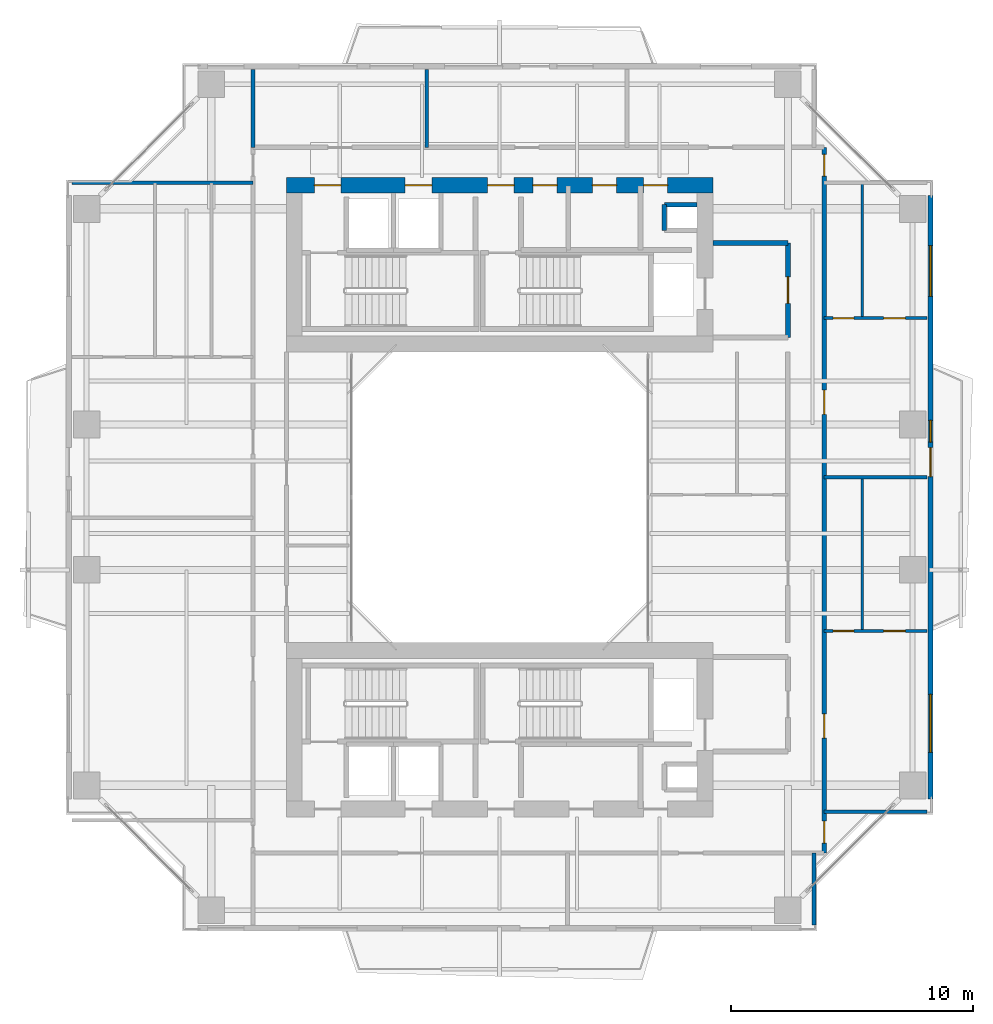
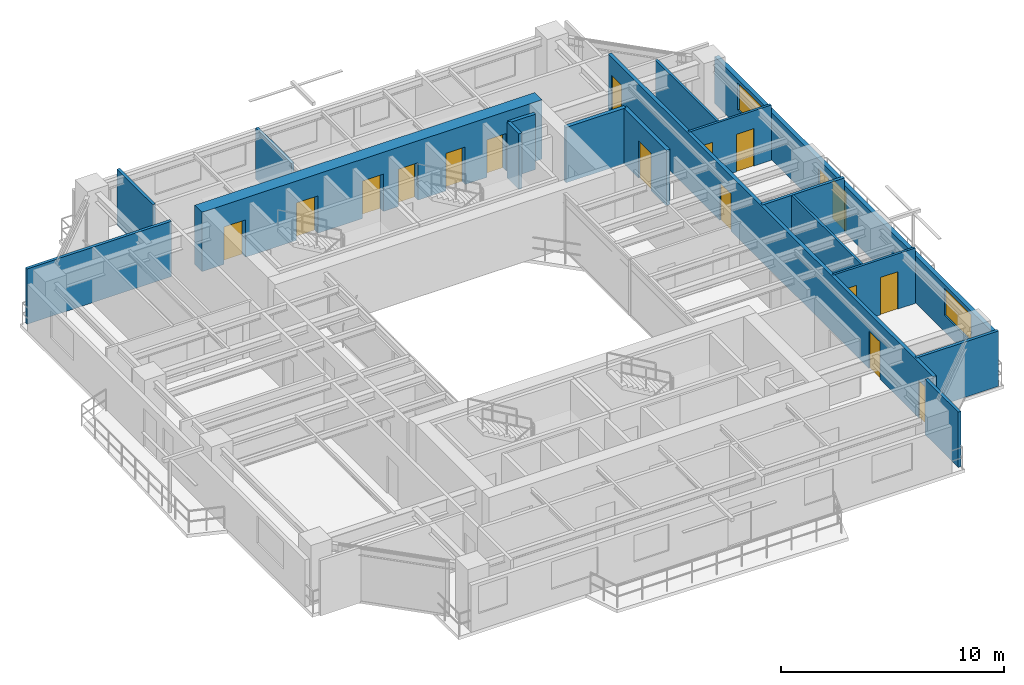
# One storey, part 12 of 16: 17 walls, 16 doors, 3 windows, 19 openings.
"""IFC4 building model written with IfcOpenShell, lengths in metres."""

import ifcopenshell
import ifcopenshell.guid

model = None  # the IFC model being written
_history = None  # IfcOwnerHistory: only IFC2X3 demands one
_inside = {}  # id of a spatial element -> (the spatial element, [elements in it])
_under = {}  # id of a project, library or spatial element -> (it, [spatial elements below it])
_declared = {}  # id of a project -> (the project, [libraries it declares])
_typed = {}  # id of a type object -> (the type object, [elements of that type])
_made_of = {}  # id of a material, layer set ... -> (it, [elements and type objects made of it])


def new_model(schema):
    """Start an empty IFC model of exactly this schema.

    Asked for "IFC4X3", IfcOpenShell would pick the latest addendum, in which some entities
    have other attributes; the version numbers below select the first issue.
    IFC2X3 requires an IfcOwnerHistory on every rooted entity: one is made here for all.
    """
    global model, _history
    if schema == "IFC4X3":
        model = ifcopenshell.file(schema_version=(4, 3, 0, 0))
    else:
        model = ifcopenshell.file(schema=schema)
    _inside.clear()
    _under.clear()
    _declared.clear()
    _typed.clear()
    _made_of.clear()
    _history = None
    if model.schema == "IFC2X3":
        org = make("IfcOrganization", Name="unknown")
        user = make(
            "IfcPersonAndOrganization",
            ThePerson=make("IfcPerson", FamilyName="unknown"),
            TheOrganization=org,
        )
        app = make(
            "IfcApplication",
            ApplicationDeveloper=org,
            Version="unknown",
            ApplicationFullName="unknown",
            ApplicationIdentifier="unknown",
        )
        _history = make(
            "IfcOwnerHistory",
            OwningUser=user,
            OwningApplication=app,
            ChangeAction="ADDED",
            CreationDate=0,
        )
    return model


def make(cls, **values):
    """One entity of the class cls with the attributes given. An attribute that is None is left unset."""
    return model.create_entity(
        cls, **{name: value for name, value in values.items() if value is not None}
    )


def rooted(cls, **values):
    """An entity with a GlobalId (a new one), such as an element, a storey or a relation."""
    return make(cls, GlobalId=ifcopenshell.guid.new(), OwnerHistory=_history, **values)


def si_unit(unit_type, name, prefix=None):
    """IfcSIUnit, for example si_unit("LENGTHUNIT", "METRE", prefix="MILLI")."""
    return make("IfcSIUnit", UnitType=unit_type, Prefix=prefix, Name=name)


def assignment(units):
    """IfcUnitAssignment: the units of a project."""
    return None if units is None else make("IfcUnitAssignment", Units=units)


def point(xyz):
    """IfcCartesianPoint."""
    return None if xyz is None else make("IfcCartesianPoint", Coordinates=xyz)


def direction(xyz):
    """IfcDirection."""
    return None if xyz is None else make("IfcDirection", DirectionRatios=xyz)


def frame(location, z_axis=None, x_axis=None):
    """IfcAxis2Placement3D, a coordinate frame: its origin and axes. An axis left out is left unset."""
    return make(
        "IfcAxis2Placement3D",
        Location=point(location),
        Axis=direction(z_axis),
        RefDirection=direction(x_axis),
    )


def frame_2d(location, x_axis=None):
    """IfcAxis2Placement2D, a coordinate frame in the plane: its origin and x axis."""
    return make(
        "IfcAxis2Placement2D", Location=point(location), RefDirection=direction(x_axis)
    )


def origin():
    """The frame at (0, 0, 0) with its axes left unset."""
    return frame((0.0, 0.0, 0.0))


def place(relative_to, where):
    """IfcLocalPlacement: puts the frame where relative to a parent placement (None: the world)."""
    return make(
        "IfcLocalPlacement", PlacementRelTo=relative_to, RelativePlacement=where
    )


def context(
    kind, dimensions, precision=None, world=None, true_north=None, identifier=None
):
    """IfcGeometricRepresentationContext, for example the 3D "Model" context."""
    return make(
        "IfcGeometricRepresentationContext",
        ContextIdentifier=identifier,
        ContextType=kind,
        CoordinateSpaceDimension=dimensions,
        Precision=precision,
        WorldCoordinateSystem=world,
        TrueNorth=true_north,
    )


def subcontext(parent, identifier, kind, view, scale=None):
    """IfcGeometricRepresentationSubContext, for example "Body" below "Model"."""
    return make(
        "IfcGeometricRepresentationSubContext",
        ContextIdentifier=identifier,
        ContextType=kind,
        ParentContext=parent,
        TargetScale=scale,
        TargetView=view,
    )


def project(units=None, contexts=None):
    """IfcProject with its units and contexts."""
    return rooted(
        "IfcProject",
        Name="project",
        RepresentationContexts=contexts,
        UnitsInContext=assignment(units),
    )


def spatial(cls, under=None, at=None, **own):
    """A site, building, storey or space (cls), placed at a placement, below another one or the project."""
    s = rooted(cls, ObjectPlacement=at, **own)
    if under is not None:
        _under.setdefault(under.id(), (under, []))[1].append(s)
    return s


def profile(cls, at=None, kind="AREA", **sizes):
    """A parametric profile (cls). Its sizes go by their IFC names, for example OverallWidth=200.0."""
    return make(cls, ProfileType=kind, Position=at, **sizes)


def rectangle(**sizes):
    """IfcRectangleProfileDef."""
    return profile("IfcRectangleProfileDef", **sizes)


def extrude(swept, where, along, depth):
    """IfcExtrudedAreaSolid: the profile swept, set in the frame where, extruded along a direction by depth."""
    return make(
        "IfcExtrudedAreaSolid",
        SweptArea=swept,
        Position=where,
        ExtrudedDirection=direction(along),
        Depth=depth,
    )


def shape(context_of_items, identifier, shape_type, items):
    """IfcShapeRepresentation: the items that make up one representation, for example the "Body"."""
    return make(
        "IfcShapeRepresentation",
        ContextOfItems=context_of_items,
        RepresentationIdentifier=identifier,
        RepresentationType=shape_type,
        Items=items,
    )


def source(mapping_origin, context_of_items, identifier, shape_type, items):
    """IfcRepresentationMap: a shape defined once, which mapped items show again and again."""
    return make(
        "IfcRepresentationMap",
        MappingOrigin=mapping_origin,
        MappedRepresentation=shape(context_of_items, identifier, shape_type, items),
    )


def transform(
    local_origin,
    x_axis=None,
    y_axis=None,
    z_axis=None,
    scale=None,
    scale2=None,
    scale3=None,
    uniform=True,
):
    """IfcCartesianTransformationOperator3D, or its non-uniform kind. x_axis, y_axis, z_axis: its Axis1, 2, 3."""
    if uniform:
        return make(
            "IfcCartesianTransformationOperator3D",
            Axis1=direction(x_axis),
            Axis2=direction(y_axis),
            LocalOrigin=point(local_origin),
            Scale=scale,
            Axis3=direction(z_axis),
        )
    return make(
        "IfcCartesianTransformationOperator3DnonUniform",
        Axis1=direction(x_axis),
        Axis2=direction(y_axis),
        LocalOrigin=point(local_origin),
        Scale=scale,
        Axis3=direction(z_axis),
        Scale2=scale2,
        Scale3=scale3,
    )


def mapped(mapping_source, mapping_target):
    """IfcMappedItem: shows the shape of a source again, moved by a transform."""
    return make(
        "IfcMappedItem", MappingSource=mapping_source, MappingTarget=mapping_target
    )


def material(Name=None, Category=None):
    """IfcMaterial."""
    return make("IfcMaterial", Name=Name, Category=Category)


def layer(
    of_material, thickness, ventilated=None, Name=None, Category=None, Priority=None
):
    """IfcMaterialLayer: one layer of a wall or slab, of a material (None: an air gap)."""
    return make(
        "IfcMaterialLayer",
        Material=of_material,
        LayerThickness=thickness,
        IsVentilated=ventilated,
        Name=Name,
        Category=Category,
        Priority=Priority,
    )


def layer_set(layers, Name=None):
    """IfcMaterialLayerSet."""
    return make("IfcMaterialLayerSet", MaterialLayers=layers, LayerSetName=Name)


def made_of(thing, what):
    """Note that an element or type object is made of a material, layer set ...; save() writes the relation."""
    if what is not None:
        _made_of.setdefault(what.id(), (what, []))[1].append(thing)
    return thing


def type_object(cls, material=None, **own):
    """A type object (cls), such as IfcWallType, which elements share."""
    return made_of(rooted(cls, **own), material)


def element(
    cls,
    number,
    at=None,
    inside=None,
    cuts=None,
    type_object=None,
    material=None,
    context=None,
    identifier="Body",
    shape_type=None,
    held_by="IfcProductDefinitionShape",
    body=None,
    shapes=None,
    **own,
):
    """One element of the class cls, such as IfcWall. Its Tag is "e" and its number.

    at: its placement. inside: the storey or other place that contains it. cuts: it is an
    opening in that element (IfcRelVoidsElement). A single representation is given by context,
    identifier, shape_type and body (its items); several are given by shapes. held_by: the class
    of the entity that holds the representations. save() writes the other relations.
    """
    e = rooted(cls, Tag="e%d" % number, ObjectPlacement=at, **own)
    if body is not None:
        shapes = [shape(context, identifier, shape_type, body)]
    if shapes is not None:
        e.Representation = make(held_by, Representations=shapes)
    if inside is not None:
        _inside.setdefault(inside.id(), (inside, []))[1].append(e)
    if cuts is not None:
        rooted(
            "IfcRelVoidsElement", RelatingBuildingElement=cuts, RelatedOpeningElement=e
        )
    if type_object is not None:
        _typed.setdefault(type_object.id(), (type_object, []))[1].append(e)
    return made_of(e, material)


def fill(opening, filler):
    """IfcRelFillsElement: the door or window that sits in an opening."""
    return rooted(
        "IfcRelFillsElement",
        RelatingOpeningElement=opening,
        RelatedBuildingElement=filler,
    )


def aggregate(whole, parts):
    """IfcRelAggregates: a whole, such as a stair, and the parts it consists of."""
    return rooted("IfcRelAggregates", RelatingObject=whole, RelatedObjects=parts)


def save(model, path):
    """Write the relations noted so far, then the file.

    IfcRelAggregates (storeys below a building ...), IfcRelContainedInSpatialStructure (elements
    in a storey), IfcRelDefinesByType, IfcRelAssociatesMaterial and IfcRelDeclares: one each for
    every whole, place, type object, material and project.
    """
    for whole, parts in _under.values():
        aggregate(whole, parts)
    for where, things in _inside.values():
        rooted(
            "IfcRelContainedInSpatialStructure",
            RelatedElements=things,
            RelatingStructure=where,
        )
    for kind, things in _typed.values():
        rooted("IfcRelDefinesByType", RelatedObjects=things, RelatingType=kind)
    for what, things in _made_of.values():
        rooted("IfcRelAssociatesMaterial", RelatedObjects=things, RelatingMaterial=what)
    for by, libraries in _declared.values():
        rooted("IfcRelDeclares", RelatingContext=by, RelatedDefinitions=libraries)
    model.write(path)


model = new_model("IFC4")

# Units and contexts
model_context = context("Model", 3, precision=1e-05, world=origin(), true_north=direction((0.0, 1.0)))
body_context = subcontext(model_context, "Body", "Model", "MODEL_VIEW")
ifc_project = project(units=[si_unit("LENGTHUNIT", "METRE"), si_unit("AREAUNIT", "SQUARE_METRE"), si_unit("VOLUMEUNIT", "CUBIC_METRE"), si_unit("PLANEANGLEUNIT", "RADIAN"), si_unit("MASSUNIT", "GRAM", prefix="KILO"), si_unit("THERMODYNAMICTEMPERATUREUNIT", "KELVIN"), si_unit("POWERUNIT", "WATT")], contexts=[model_context])

# Site, building, storey
site_placement = place(None, origin())
site = spatial("IfcSite", under=ifc_project, at=site_placement, CompositionType="ELEMENT")
building_placement = place(site_placement, origin())
building = spatial("IfcBuilding", under=site, at=building_placement, Name="Qiaomeng Ring Towers", CompositionType="ELEMENT")
storey_placement = place(building_placement, frame((0.0, 0.0, 136.0)))
storey = spatial("IfcBuildingStorey", under=building, at=storey_placement, Name="L39", CompositionType="ELEMENT", Elevation=136.0)

# Wall, openings, windows, door
ifc_material_1 = material(Name="Precast concrete C40", Category="concrete")
ifc_layer_1 = layer(ifc_material_1, 0.219970703125, Name="Precast concrete C40")
ifc_layer_set_1 = layer_set([ifc_layer_1], Name="Precast concrete C40")
wall_type_1 = type_object("IfcWallType", Name="ARC-WL-EW2", PredefinedType="STANDARD", material=ifc_layer_set_1)
wall_1_placement = place(storey_placement, frame((36.7900390625, 10.550048828125, 0.0), z_axis=(0.0, 0.0, 1.0), x_axis=(0.0, 1.0, 0.0)))
wall_1 = element("IfcWall", 1, at=wall_1_placement, inside=storey, type_object=wall_type_1, Name="L39 Tower 1 E Exterior Wall", PredefinedType="STANDARD", context=body_context, shape_type="SweptSolid", body=[
    extrude(rectangle(XDim=24.89990234375, YDim=0.219970703125, at=frame_2d((12.449951171875, 0.0))), origin(), (0.0, 0.0, 1.0), 2.570068359375),
])
opening_1_placement = place(wall_1_placement, frame((13.300048828125, 0.0, 0.0)))
opening_1 = element("IfcOpeningElement", 2, at=opening_1_placement, cuts=wall_1, Name="Opening BD1", PredefinedType="OPENING", context=body_context, shape_type="SweptSolid", body=[
    extrude(rectangle(XDim=1.199951171875, YDim=2.10009765625, at=frame_2d((0.60009765625, 1.050048828125))), frame((0.0, 0.119873046875, 0.0), z_axis=(0.0, -1.0, 0.0), x_axis=(1.0, 0.0, 0.0)), (0.0, 0.0, 1.0), 0.239990234375),
])
opening_2_placement = place(wall_1_placement, frame((1.912109375, 0.0, 0.89990234375)))
opening_2 = element("IfcOpeningElement", 3, at=opening_2_placement, cuts=wall_1, Name="Opening WN6", PredefinedType="OPENING", context=body_context, shape_type="SweptSolid", body=[
    extrude(rectangle(XDim=2.39990234375, YDim=1.47998046875, at=frame_2d((1.199951171875, 0.739990234375))), frame((0.0, 0.119873046875, 0.0), z_axis=(0.0, -1.0, 0.0), x_axis=(1.0, 0.0, 0.0)), (0.0, 0.0, 1.0), 0.239990234375),
])
opening_3_placement = place(wall_1_placement, frame((20.737060546875, 0.0, 0.89990234375)))
opening_3 = element("IfcOpeningElement", 4, at=opening_3_placement, cuts=wall_1, Name="Opening WN4", PredefinedType="OPENING", context=body_context, shape_type="SweptSolid", body=[
    extrude(rectangle(XDim=2.10009765625, YDim=1.47998046875, at=frame_2d((1.050048828125, 0.739990234375))), frame((0.0, 0.119873046875, 0.0), z_axis=(0.0, -1.0, 0.0), x_axis=(1.0, 0.0, 0.0)), (0.0, 0.0, 1.0), 0.239990234375),
])
opening_4_placement = place(wall_1_placement, frame((14.719970703125, 0.0, 0.89990234375)))
opening_4 = element("IfcOpeningElement", 5, at=opening_4_placement, cuts=wall_1, Name="Opening WN5", PredefinedType="OPENING", context=body_context, shape_type="SweptSolid", body=[
    extrude(rectangle(XDim=0.89990234375, YDim=1.199951171875, at=frame_2d((0.449951171875, 0.60009765625))), frame((0.0, 0.119873046875, 0.0), z_axis=(0.0, -1.0, 0.0), x_axis=(1.0, 0.0, 0.0)), (0.0, 0.0, 1.0), 0.239990234375),
])
ifc_material_2 = material(Name="Low-E dark-grey laminated double glazing", Category="glass")
window_type_1 = type_object("IfcWindowType", Name="ARC-WN-4", PartitioningType="TRIPLE_PANEL_VERTICAL", PredefinedType="WINDOW", material=ifc_material_2)
shared_shape_1 = source(origin(), body_context, "Body", "SweptSolid", [
    extrude(rectangle(XDim=2.10009765625, YDim=1.47998046875, at=frame_2d((1.050048828125, 0.739990234375))), frame((0.0, 0.030029296875, 0.0), z_axis=(0.0, -1.0, 0.0), x_axis=(1.0, 0.0, 0.0)), (0.0, 0.0, 1.0), 0.06005859375),
])
window_1_placement = place(opening_3_placement, origin())
window_1 = element("IfcWindow", 6, at=window_1_placement, inside=storey, type_object=window_type_1, Name="L39 Exterior Window WN4", OverallHeight=1.47998046875, OverallWidth=2.10009765625, PartitioningType="TRIPLE_PANEL_VERTICAL", PredefinedType="WINDOW", context=body_context, shape_type="MappedRepresentation", body=[
    mapped(shared_shape_1, transform((0.0, 0.0, 0.0), x_axis=(1.0, 0.0, 0.0), y_axis=(0.0, 1.0, 0.0), z_axis=(0.0, 0.0, 1.0), scale=1.0)),
])
fill(opening_3, window_1)
window_type_2 = type_object("IfcWindowType", Name="ARC-WN-6", PartitioningType="TRIPLE_PANEL_VERTICAL", PredefinedType="WINDOW", material=ifc_material_2)
shared_shape_2 = source(origin(), body_context, "Body", "SweptSolid", [
    extrude(rectangle(XDim=2.39990234375, YDim=1.47998046875, at=frame_2d((1.199951171875, 0.739990234375))), frame((0.0, 0.030029296875, 0.0), z_axis=(0.0, -1.0, 0.0), x_axis=(1.0, 0.0, 0.0)), (0.0, 0.0, 1.0), 0.06005859375),
])
window_2_placement = place(opening_2_placement, origin())
window_2 = element("IfcWindow", 7, at=window_2_placement, inside=storey, type_object=window_type_2, Name="L39 Exterior Window WN6", OverallHeight=1.47998046875, OverallWidth=2.39990234375, PartitioningType="TRIPLE_PANEL_VERTICAL", PredefinedType="WINDOW", context=body_context, shape_type="MappedRepresentation", body=[
    mapped(shared_shape_2, transform((0.0, 0.0, 0.0), x_axis=(1.0, 0.0, 0.0), y_axis=(0.0, 1.0, 0.0), z_axis=(0.0, 0.0, 1.0), scale=1.0)),
])
fill(opening_2, window_2)
door_type_1 = type_object("IfcDoorType", Name="ARC-DR-BD1", OperationType="NOTDEFINED", PredefinedType="DOOR", material=ifc_material_2)
shared_shape_3 = source(origin(), body_context, "Body", "SweptSolid", [
    extrude(rectangle(XDim=1.199951171875, YDim=2.10009765625, at=frame_2d((0.60009765625, 1.050048828125))), frame((0.0, 0.02490234375, 0.0), z_axis=(0.0, -1.0, 0.0), x_axis=(1.0, 0.0, 0.0)), (0.0, 0.0, 1.0), 0.050048828125),
])
door_1_placement = place(opening_1_placement, origin())
door_1 = element("IfcDoor", 8, at=door_1_placement, inside=storey, type_object=door_type_1, Name="L39 E Balcony Glazed Door", OperationType="SINGLE_SWING_LEFT", OverallHeight=2.10009765625, OverallWidth=1.199951171875, PredefinedType="DOOR", context=body_context, shape_type="MappedRepresentation", body=[
    mapped(shared_shape_3, transform((0.0, 0.0, 0.0), x_axis=(1.0, 0.0, 0.0), y_axis=(0.0, 1.0, 0.0), z_axis=(0.0, 0.0, 1.0), scale=1.0)),
])
fill(opening_1, door_1)
window_type_3 = type_object("IfcWindowType", Name="ARC-WN-5", PartitioningType="SINGLE_PANEL", PredefinedType="WINDOW", material=ifc_material_2)
shared_shape_4 = source(origin(), body_context, "Body", "SweptSolid", [
    extrude(rectangle(XDim=0.89990234375, YDim=1.199951171875, at=frame_2d((0.449951171875, 0.60009765625))), frame((0.0, 0.030029296875, 0.0), z_axis=(0.0, -1.0, 0.0), x_axis=(1.0, 0.0, 0.0)), (0.0, 0.0, 1.0), 0.06005859375),
])
window_3_placement = place(opening_4_placement, origin())
window_3 = element("IfcWindow", 9, at=window_3_placement, inside=storey, type_object=window_type_3, Name="L39 Exterior Window WN5", OverallHeight=1.199951171875, OverallWidth=0.89990234375, PartitioningType="SINGLE_PANEL", PredefinedType="WINDOW", context=body_context, shape_type="MappedRepresentation", body=[
    mapped(shared_shape_4, transform((0.0, 0.0, 0.0), x_axis=(1.0, 0.0, 0.0), y_axis=(0.0, 1.0, 0.0), z_axis=(0.0, 0.0, 1.0), scale=1.0)),
])
fill(opening_4, window_3)

# Wall
ifc_material_3 = material(Name="Autoclaved aerated concrete block", Category="concrete")
ifc_layer_2 = layer(ifc_material_3, 0.199951171875, Name="Autoclaved aerated concrete block")
ifc_layer_set_2 = layer_set([ifc_layer_2], Name="Autoclaved aerated concrete block")
wall_type_2 = type_object("IfcWallType", Name="ARC-WL-PW1", PredefinedType="PARTITIONING", material=ifc_layer_set_2)
wall_2_placement = place(storey_placement, frame((27.800048828125, 33.5, 0.0), z_axis=(0.0, 0.0, 1.0), x_axis=(1.0, 0.0, 0.0)))
element("IfcWall", 10, at=wall_2_placement, inside=storey, type_object=wall_type_2, Name="L39 Interior Wall PW1", PredefinedType="PARTITIONING", context=body_context, shape_type="SweptSolid", body=[
    extrude(rectangle(XDim=3.099853515625, YDim=0.199951171875, at=frame_2d((1.5498046875, 0.0))), origin(), (0.0, 0.0, 1.0), 3.030029296875),
])

# Wall, opening, door
wall_3_placement = place(storey_placement, frame((30.89990234375, 29.60009765625, 0.0), z_axis=(0.0, 0.0, 1.0), x_axis=(0.0, 1.0, 0.0)))
wall_3 = element("IfcWall", 11, at=wall_3_placement, inside=storey, type_object=wall_type_2, Name="L39 Interior Wall PW1", PredefinedType="PARTITIONING", context=body_context, shape_type="SweptSolid", body=[
    extrude(rectangle(XDim=3.89990234375, YDim=0.199951171875, at=frame_2d((1.949951171875, 0.0))), origin(), (0.0, 0.0, 1.0), 3.030029296875),
])
opening_5_placement = place(wall_3_placement, frame((1.39990234375, 0.0, 0.0)))
opening_5 = element("IfcOpeningElement", 12, at=opening_5_placement, cuts=wall_3, Name="Opening FD3", PredefinedType="OPENING", context=body_context, shape_type="SweptSolid", body=[
    extrude(rectangle(XDim=1.10009765625, YDim=2.050048828125, at=frame_2d((0.550048828125, 1.02490234375))), frame((0.0, 0.10986328125, 0.0), z_axis=(0.0, -1.0, 0.0), x_axis=(1.0, 0.0, 0.0)), (0.0, 0.0, 1.0), 0.219970703125),
])
ifc_material_4 = material(Name="Galvanised steel", Category="steel")
door_type_2 = type_object("IfcDoorType", Name="ARC-DR-FD3", OperationType="NOTDEFINED", PredefinedType="DOOR", material=ifc_material_4)
shared_shape_5 = source(origin(), body_context, "Body", "SweptSolid", [
    extrude(rectangle(XDim=1.10009765625, YDim=2.050048828125, at=frame_2d((0.550048828125, 1.02490234375))), frame((0.0, 0.02490234375, 0.0), z_axis=(0.0, -1.0, 0.0), x_axis=(1.0, 0.0, 0.0)), (0.0, 0.0, 1.0), 0.050048828125),
])
door_2_placement = place(opening_5_placement, origin())
door_2 = element("IfcDoor", 13, at=door_2_placement, inside=storey, type_object=door_type_2, Name="L39 North FF Lobby Door", OperationType="SINGLE_SWING_RIGHT", OverallHeight=2.050048828125, OverallWidth=1.10009765625, PredefinedType="DOOR", context=body_context, shape_type="MappedRepresentation", body=[
    mapped(shared_shape_5, transform((0.0, 0.0, 0.0), x_axis=(1.0, 0.0, 0.0), y_axis=(0.0, 1.0, 0.0), z_axis=(0.0, 0.0, 1.0), scale=1.0)),
])
fill(opening_5, door_2)

# Wall, openings, doors
ifc_layer_3 = layer(ifc_material_3, 0.179931640625, Name="Autoclaved aerated concrete block")
ifc_layer_set_3 = layer_set([ifc_layer_3], Name="Autoclaved aerated concrete block")
wall_type_3 = type_object("IfcWallType", Name="ARC-WL-PW2", PredefinedType="PARTITIONING", material=ifc_layer_set_3)
wall_4_placement = place(storey_placement, frame((32.39990234375, 8.31005859375, 0.0), z_axis=(0.0, 0.0, 1.0), x_axis=(0.0, 1.0, 0.0)))
wall_4 = element("IfcWall", 14, at=wall_4_placement, inside=storey, type_object=wall_type_3, Name="L39 Interior Wall PW2", PredefinedType="PARTITIONING", context=body_context, shape_type="SweptSolid", body=[
    extrude(rectangle(XDim=29.1298828125, YDim=0.179931640625, at=frame_2d((14.56494140625, 0.0))), origin(), (0.0, 0.0, 1.0), 3.030029296875),
])
opening_6_placement = place(wall_4_placement, frame((27.93994140625, 0.0, 0.0)))
opening_6 = element("IfcOpeningElement", 15, at=opening_6_placement, cuts=wall_4, Name="Opening ID1", PredefinedType="OPENING", context=body_context, shape_type="SweptSolid", body=[
    extrude(rectangle(XDim=0.89990234375, YDim=2.050048828125, at=frame_2d((0.449951171875, 1.02490234375))), frame((0.0, 0.099853515625, 0.0), z_axis=(0.0, -1.0, 0.0), x_axis=(1.0, 0.0, 0.0)), (0.0, 0.0, 1.0), 0.199951171875),
])
opening_7_placement = place(wall_4_placement, frame((0.4150390625, 0.0, 0.0)))
opening_7 = element("IfcOpeningElement", 16, at=opening_7_placement, cuts=wall_4, Name="Opening ID1", PredefinedType="OPENING", context=body_context, shape_type="SweptSolid", body=[
    extrude(rectangle(XDim=0.89990234375, YDim=2.050048828125, at=frame_2d((0.449951171875, 1.02490234375))), frame((0.0, 0.099853515625, 0.0), z_axis=(0.0, -1.0, 0.0), x_axis=(1.0, 0.0, 0.0)), (0.0, 0.0, 1.0), 0.199951171875),
])
opening_8_placement = place(wall_4_placement, frame((4.75, 0.0, 0.0)))
opening_8 = element("IfcOpeningElement", 17, at=opening_8_placement, cuts=wall_4, Name="Opening FD4", PredefinedType="OPENING", context=body_context, shape_type="SweptSolid", body=[
    extrude(rectangle(XDim=1.0, YDim=2.050048828125, at=frame_2d((0.5, 1.02490234375))), frame((0.0, 0.099853515625, 0.0), z_axis=(0.0, -1.0, 0.0), x_axis=(1.0, 0.0, 0.0)), (0.0, 0.0, 1.0), 0.199951171875),
])
opening_9_placement = place(wall_4_placement, frame((18.110107421875, 0.0, 0.0)))
opening_9 = element("IfcOpeningElement", 18, at=opening_9_placement, cuts=wall_4, Name="Opening FD4", PredefinedType="OPENING", context=body_context, shape_type="SweptSolid", body=[
    extrude(rectangle(XDim=1.0, YDim=2.050048828125, at=frame_2d((0.5, 1.02490234375))), frame((0.0, 0.099853515625, 0.0), z_axis=(0.0, -1.0, 0.0), x_axis=(1.0, 0.0, 0.0)), (0.0, 0.0, 1.0), 0.199951171875),
])
ifc_material_5 = material(Name="Engineered fire-rated oak timber", Category="wood")
door_type_3 = type_object("IfcDoorType", Name="ARC-DR-FD4", OperationType="NOTDEFINED", PredefinedType="DOOR", material=ifc_material_5)
shared_shape_6 = source(origin(), body_context, "Body", "SweptSolid", [
    extrude(rectangle(XDim=1.0, YDim=2.050048828125, at=frame_2d((0.5, 1.02490234375))), frame((0.0, 0.02490234375, 0.0), z_axis=(0.0, -1.0, 0.0), x_axis=(1.0, 0.0, 0.0)), (0.0, 0.0, 1.0), 0.050048828125),
])
door_3_placement = place(opening_8_placement, origin())
door_3 = element("IfcDoor", 19, at=door_3_placement, inside=storey, type_object=door_type_3, Name="L39 Door FD4", OperationType="SINGLE_SWING_LEFT", OverallHeight=2.050048828125, OverallWidth=1.0, PredefinedType="DOOR", context=body_context, shape_type="MappedRepresentation", body=[
    mapped(shared_shape_6, transform((0.0, 0.0, 0.0), x_axis=(1.0, 0.0, 0.0), y_axis=(0.0, 1.0, 0.0), z_axis=(0.0, 0.0, 1.0), scale=1.0)),
])
fill(opening_8, door_3)
door_4_placement = place(opening_9_placement, origin())
door_4 = element("IfcDoor", 20, at=door_4_placement, inside=storey, type_object=door_type_3, Name="L39 Door FD4", OperationType="SINGLE_SWING_RIGHT", OverallHeight=2.050048828125, OverallWidth=1.0, PredefinedType="DOOR", context=body_context, shape_type="MappedRepresentation", body=[
    mapped(shared_shape_6, transform((0.0, 0.0, 0.0), x_axis=(1.0, 0.0, 0.0), y_axis=(0.0, 1.0, 0.0), z_axis=(0.0, 0.0, 1.0), scale=1.0)),
])
fill(opening_9, door_4)
ifc_material_6 = material(Name="Engineered oak timber", Category="wood")
door_type_4 = type_object("IfcDoorType", Name="ARC-DR-ID1", OperationType="NOTDEFINED", PredefinedType="DOOR", material=ifc_material_6)
shared_shape_7 = source(origin(), body_context, "Body", "SweptSolid", [
    extrude(rectangle(XDim=0.89990234375, YDim=2.050048828125, at=frame_2d((0.449951171875, 1.02490234375))), frame((0.0, 0.02490234375, 0.0), z_axis=(0.0, -1.0, 0.0), x_axis=(1.0, 0.0, 0.0)), (0.0, 0.0, 1.0), 0.050048828125),
])
door_5_placement = place(opening_6_placement, origin())
door_5 = element("IfcDoor", 21, at=door_5_placement, inside=storey, type_object=door_type_4, Name="L39 Door ID1", OperationType="SINGLE_SWING_LEFT", OverallHeight=2.050048828125, OverallWidth=0.89990234375, PredefinedType="DOOR", context=body_context, shape_type="MappedRepresentation", body=[
    mapped(shared_shape_7, transform((0.0, 0.0, 0.0), x_axis=(1.0, 0.0, 0.0), y_axis=(0.0, 1.0, 0.0), z_axis=(0.0, 0.0, 1.0), scale=1.0)),
])
fill(opening_6, door_5)
door_6_placement = place(opening_7_placement, origin())
door_6 = element("IfcDoor", 22, at=door_6_placement, inside=storey, type_object=door_type_4, Name="L39 Door ID1", OperationType="SINGLE_SWING_RIGHT", OverallHeight=2.050048828125, OverallWidth=0.89990234375, PredefinedType="DOOR", context=body_context, shape_type="MappedRepresentation", body=[
    mapped(shared_shape_7, transform((0.0, 0.0, 0.0), x_axis=(1.0, 0.0, 0.0), y_axis=(0.0, 1.0, 0.0), z_axis=(0.0, 0.0, 1.0), scale=1.0)),
])
fill(opening_7, door_6)

# Walls
ifc_material_7 = material(Name="Gypsum fireboard steel-stud partition", Category="steel")
ifc_layer_4 = layer(ifc_material_7, 0.14990234375, Name="Gypsum fireboard steel-stud partition")
ifc_layer_set_4 = layer_set([ifc_layer_4], Name="Gypsum fireboard steel-stud partition")
wall_type_4 = type_object("IfcWallType", Name="ARC-WL-PW3", PredefinedType="PARTITIONING", material=ifc_layer_set_4)
wall_5_placement = place(storey_placement, frame((15.989990234375, 37.43994140625, 0.0), z_axis=(0.0, 0.0, 1.0), x_axis=(0.0, 1.0, 0.0)))
element("IfcWall", 23, at=wall_5_placement, inside=storey, type_object=wall_type_4, Name="L39 Interior Wall PW3", PredefinedType="PARTITIONING", context=body_context, shape_type="SweptSolid", body=[
    extrude(rectangle(XDim=3.2099609375, YDim=0.14990234375, at=frame_2d((1.60498046875, 0.0))), origin(), (0.0, 0.0, 1.0), 2.77490234375),
])
wall_6_placement = place(storey_placement, frame((8.820068359375, 37.43994140625, 0.0), z_axis=(0.0, 0.0, 1.0), x_axis=(0.0, 1.0, 0.0)))
element("IfcWall", 24, at=wall_6_placement, inside=storey, type_object=wall_type_4, Name="L39 Interior Wall PW3", PredefinedType="PARTITIONING", context=body_context, shape_type="SweptSolid", body=[
    extrude(rectangle(XDim=3.2099609375, YDim=0.14990234375, at=frame_2d((1.60498046875, 0.0))), origin(), (0.0, 0.0, 1.0), 3.030029296875),
])
wall_7_placement = place(storey_placement, frame((31.97998046875, 5.35009765625, 0.0), z_axis=(0.0, 0.0, 1.0), x_axis=(0.0, 1.0, 0.0)))
element("IfcWall", 25, at=wall_7_placement, inside=storey, type_object=wall_type_4, Name="L39 Interior Wall PW3", PredefinedType="PARTITIONING", context=body_context, shape_type="SweptSolid", body=[
    extrude(rectangle(XDim=2.9599609375, YDim=0.14990234375, at=frame_2d((1.47998046875, 0.0))), origin(), (0.0, 0.0, 1.0), 3.030029296875),
])
wall_8_placement = place(storey_placement, frame((1.35009765625, 35.97998046875, 0.0), z_axis=(0.0, 0.0, 1.0), x_axis=(1.0, 0.0, 0.0)))
element("IfcWall", 26, at=wall_8_placement, inside=storey, type_object=wall_type_4, Name="L39 Interior Wall PW3", PredefinedType="PARTITIONING", context=body_context, shape_type="SweptSolid", body=[
    extrude(rectangle(XDim=7.469970703125, YDim=0.14990234375, at=frame_2d((3.73486328125, 0.0))), origin(), (0.0, 0.0, 1.0), 3.030029296875),
])
for number, where, z_axis, x_axis, name in (
    (27, (32.39990234375, 10.02001953125, 0.0), (0.0, 0.0, 1.0), (1.0, 0.0, 0.0), "L39 Interior Wall PW3"),
    (28, (32.39990234375, 23.830078125, 0.0), (0.0, 0.0, 1.0), (1.0, 0.0, 0.0), "L39 Interior Wall PW3"),
):
    element("IfcWall", number, at=place(storey_placement, frame(where, z_axis=z_axis, x_axis=x_axis)), inside=storey, type_object=wall_type_4, Name=name, PredefinedType="PARTITIONING", context=body_context, shape_type="SweptSolid", body=[
        extrude(rectangle(XDim=4.25, YDim=0.14990234375, at=frame_2d((2.125, 0.0))), origin(), (0.0, 0.0, 1.0), 3.030029296875),
    ])

# Wall, openings, doors
ifc_material_8 = material(Name="Moisture-resistant gypsum steel-stud partition", Category="steel")
ifc_layer_5 = layer(ifc_material_8, 0.1201171875, Name="Moisture-resistant gypsum steel-stud partition")
ifc_layer_set_5 = layer_set([ifc_layer_5], Name="Moisture-resistant gypsum steel-stud partition")
wall_type_5 = type_object("IfcWallType", Name="ARC-WL-PW4", PredefinedType="PLUMBINGWALL", material=ifc_layer_set_5)
wall_9_placement = place(storey_placement, frame((32.39990234375, 17.47998046875, 0.0), z_axis=(0.0, 0.0, 1.0), x_axis=(1.0, 0.0, 0.0)))
wall_9 = element("IfcWall", 29, at=wall_9_placement, inside=storey, type_object=wall_type_5, Name="L39 Interior Wall PW4", PredefinedType="PLUMBINGWALL", context=body_context, shape_type="SweptSolid", body=[
    extrude(rectangle(XDim=4.25, YDim=0.1201171875, at=frame_2d((2.125, 0.0))), origin(), (0.0, 0.0, 1.0), 3.030029296875),
])
opening_10_placement = place(wall_9_placement, frame((0.3701171875, 0.0, 0.0)))
opening_10 = element("IfcOpeningElement", 30, at=opening_10_placement, cuts=wall_9, Name="Opening ID2", PredefinedType="OPENING", context=body_context, shape_type="SweptSolid", body=[
    extrude(rectangle(XDim=0.85009765625, YDim=2.050048828125, at=frame_2d((0.425048828125, 1.02490234375))), frame((0.0, 0.070068359375, 0.0), z_axis=(0.0, -1.0, 0.0), x_axis=(1.0, 0.0, 0.0)), (0.0, 0.0, 1.0), 0.14013671875),
])
opening_11_placement = place(wall_9_placement, frame((2.449951171875, 0.0, 0.0)))
opening_11 = element("IfcOpeningElement", 31, at=opening_11_placement, cuts=wall_9, Name="Opening ID1", PredefinedType="OPENING", context=body_context, shape_type="SweptSolid", body=[
    extrude(rectangle(XDim=0.89990234375, YDim=2.050048828125, at=frame_2d((0.449951171875, 1.02490234375))), frame((0.0, 0.070068359375, 0.0), z_axis=(0.0, -1.0, 0.0), x_axis=(1.0, 0.0, 0.0)), (0.0, 0.0, 1.0), 0.14013671875),
])
ifc_material_9 = material(Name="Moisture-resistant engineered timber", Category="wood")
door_type_5 = type_object("IfcDoorType", Name="ARC-DR-ID2", OperationType="NOTDEFINED", PredefinedType="DOOR", material=ifc_material_9)
shared_shape_8 = source(origin(), body_context, "Body", "SweptSolid", [
    extrude(rectangle(XDim=0.85009765625, YDim=2.050048828125, at=frame_2d((0.425048828125, 1.02490234375))), frame((0.0, 0.02490234375, 0.0), z_axis=(0.0, -1.0, 0.0), x_axis=(1.0, 0.0, 0.0)), (0.0, 0.0, 1.0), 0.050048828125),
])
door_7_placement = place(opening_10_placement, origin())
door_7 = element("IfcDoor", 32, at=door_7_placement, inside=storey, type_object=door_type_5, Name="L39 Door ID2", OperationType="SINGLE_SWING_LEFT", OverallHeight=2.050048828125, OverallWidth=0.85009765625, PredefinedType="DOOR", context=body_context, shape_type="MappedRepresentation", body=[
    mapped(shared_shape_8, transform((0.0, 0.0, 0.0), x_axis=(1.0, 0.0, 0.0), y_axis=(0.0, 1.0, 0.0), z_axis=(0.0, 0.0, 1.0), scale=1.0)),
])
fill(opening_10, door_7)
door_8_placement = place(opening_11_placement, origin())
door_8 = element("IfcDoor", 33, at=door_8_placement, inside=storey, type_object=door_type_4, Name="L39 Door ID1", OperationType="SINGLE_SWING_RIGHT", OverallHeight=2.050048828125, OverallWidth=0.89990234375, PredefinedType="DOOR", context=body_context, shape_type="MappedRepresentation", body=[
    mapped(shared_shape_7, transform((0.0, 0.0, 0.0), x_axis=(1.0, 0.0, 0.0), y_axis=(0.0, 1.0, 0.0), z_axis=(0.0, 0.0, 1.0), scale=1.0)),
])
fill(opening_11, door_8)

# Wall
wall_10_placement = place(storey_placement, frame((33.969970703125, 17.47998046875, 0.0), z_axis=(0.0, 0.0, 1.0), x_axis=(0.0, 1.0, 0.0)))
element("IfcWall", 34, at=wall_10_placement, inside=storey, type_object=wall_type_5, Name="L39 Interior Wall PW4", PredefinedType="PLUMBINGWALL", context=body_context, shape_type="SweptSolid", body=[
    extrude(rectangle(XDim=6.35009765625, YDim=0.1201171875, at=frame_2d((3.175048828125, 0.0))), origin(), (0.0, 0.0, 1.0), 3.030029296875),
])

# Wall, openings, doors
wall_11_placement = place(storey_placement, frame((32.39990234375, 30.389892578125, 0.0), z_axis=(0.0, 0.0, 1.0), x_axis=(1.0, 0.0, 0.0)))
wall_11 = element("IfcWall", 35, at=wall_11_placement, inside=storey, type_object=wall_type_5, Name="L39 Interior Wall PW4", PredefinedType="PLUMBINGWALL", context=body_context, shape_type="SweptSolid", body=[
    extrude(rectangle(XDim=4.25, YDim=0.1201171875, at=frame_2d((2.125, 0.0))), origin(), (0.0, 0.0, 1.0), 3.030029296875),
])
opening_12_placement = place(wall_11_placement, frame((0.3701171875, 0.0, 0.0)))
opening_12 = element("IfcOpeningElement", 36, at=opening_12_placement, cuts=wall_11, Name="Opening ID2", PredefinedType="OPENING", context=body_context, shape_type="SweptSolid", body=[
    extrude(rectangle(XDim=0.85009765625, YDim=2.050048828125, at=frame_2d((0.425048828125, 1.02490234375))), frame((0.0, 0.070068359375, 0.0), z_axis=(0.0, -1.0, 0.0), x_axis=(1.0, 0.0, 0.0)), (0.0, 0.0, 1.0), 0.14013671875),
])
opening_13_placement = place(wall_11_placement, frame((2.449951171875, 0.0, 0.0)))
opening_13 = element("IfcOpeningElement", 37, at=opening_13_placement, cuts=wall_11, Name="Opening ID1", PredefinedType="OPENING", context=body_context, shape_type="SweptSolid", body=[
    extrude(rectangle(XDim=0.89990234375, YDim=2.050048828125, at=frame_2d((0.449951171875, 1.02490234375))), frame((0.0, 0.070068359375, 0.0), z_axis=(0.0, -1.0, 0.0), x_axis=(1.0, 0.0, 0.0)), (0.0, 0.0, 1.0), 0.14013671875),
])
door_9_placement = place(opening_12_placement, origin())
door_9 = element("IfcDoor", 38, at=door_9_placement, inside=storey, type_object=door_type_5, Name="L39 Door ID2", OperationType="SINGLE_SWING_RIGHT", OverallHeight=2.050048828125, OverallWidth=0.85009765625, PredefinedType="DOOR", context=body_context, shape_type="MappedRepresentation", body=[
    mapped(shared_shape_8, transform((0.0, 0.0, 0.0), x_axis=(1.0, 0.0, 0.0), y_axis=(0.0, 1.0, 0.0), z_axis=(0.0, 0.0, 1.0), scale=1.0)),
])
fill(opening_12, door_9)
door_10_placement = place(opening_13_placement, origin())
door_10 = element("IfcDoor", 39, at=door_10_placement, inside=storey, type_object=door_type_4, Name="L39 Door ID1", OperationType="SINGLE_SWING_LEFT", OverallHeight=2.050048828125, OverallWidth=0.89990234375, PredefinedType="DOOR", context=body_context, shape_type="MappedRepresentation", body=[
    mapped(shared_shape_7, transform((0.0, 0.0, 0.0), x_axis=(1.0, 0.0, 0.0), y_axis=(0.0, 1.0, 0.0), z_axis=(0.0, 0.0, 1.0), scale=1.0)),
])
fill(opening_13, door_10)

# Walls
wall_12_placement = place(storey_placement, frame((33.969970703125, 30.389892578125, 0.0), z_axis=(0.0, 0.0, 1.0), x_axis=(0.0, 1.0, 0.0)))
element("IfcWall", 40, at=wall_12_placement, inside=storey, type_object=wall_type_5, Name="L39 Interior Wall PW4", PredefinedType="PLUMBINGWALL", context=body_context, shape_type="SweptSolid", body=[
    extrude(rectangle(XDim=5.590087890625, YDim=0.1201171875, at=frame_2d((2.794921875, 0.0))), origin(), (0.0, 0.0, 1.0), 3.030029296875),
])
ifc_material_10 = material(Name="Concrete C40", Category="concrete")
ifc_layer_6 = layer(ifc_material_10, 0.199951171875, Name="Concrete C40")
ifc_layer_set_6 = layer_set([ifc_layer_6], Name="Concrete C40")
wall_type_6 = type_object("IfcWallType", Name="STR-WL-STSHAFT", PredefinedType="SHEAR", material=ifc_layer_set_6)
wall_13_placement = place(storey_placement, frame((25.800048828125, 34.02001953125, 0.0), z_axis=(0.0, 0.0, 1.0), x_axis=(0.0, 1.0, 0.0)))
element("IfcWall", 41, at=wall_13_placement, inside=storey, type_object=wall_type_6, Name="L39 Riser RSR1 West Shaft Wall N", PredefinedType="SHEAR", context=body_context, shape_type="SweptSolid", body=[
    extrude(rectangle(XDim=1.06005859375, YDim=0.179931640625, at=frame_2d((0.530029296875, 0.0))), origin(), (0.0, 0.0, 1.0), 3.030029296875),
])
wall_14_placement = place(storey_placement, frame((25.800048828125, 35.080078125, 0.0), z_axis=(0.0, 0.0, 1.0), x_axis=(1.0, 0.0, 0.0)))
element("IfcWall", 42, at=wall_14_placement, inside=storey, type_object=wall_type_6, Name="L39 Riser RSR1 North Shaft Wall N", PredefinedType="SHEAR", context=body_context, shape_type="SweptSolid", body=[
    extrude(rectangle(XDim=1.349853515625, YDim=0.179931640625, at=frame_2d((0.6748046875, 0.0))), origin(), (0.0, 0.0, 1.0), 3.030029296875),
])

# Wall, openings, doors
ifc_material_11 = material(Name="Concrete C55", Category="concrete")
ifc_layer_7 = layer(ifc_material_11, 0.64990234375, Name="Concrete C55")
ifc_layer_set_7 = layer_set([ifc_layer_7], Name="Concrete C55")
wall_type_7 = type_object("IfcWallType", Name="STR-WL-SW2A", PredefinedType="SHEAR", material=ifc_layer_set_7)
wall_15_placement = place(storey_placement, frame((10.199951171875, 35.875, 0.0), z_axis=(0.0, 0.0, 1.0), x_axis=(1.0, 0.0, 0.0)))
wall_15 = element("IfcWall", 43, at=wall_15_placement, inside=storey, type_object=wall_type_7, Name="L39 T1NC north core shear wall", PredefinedType="SHEAR", context=body_context, shape_type="SweptSolid", body=[
    extrude(rectangle(XDim=17.60009765625, YDim=0.64990234375, at=frame_2d((8.800048828125, 0.0))), origin(), (0.0, 0.0, 1.0), 3.25),
])
opening_14_placement = place(wall_15_placement, frame((1.14990234375, 0.0, 0.0)))
opening_14 = element("IfcOpeningElement", 44, at=opening_14_placement, cuts=wall_15, Name="Opening FD3", PredefinedType="OPENING", context=body_context, shape_type="SweptSolid", body=[
    extrude(rectangle(XDim=1.10009765625, YDim=2.050048828125, at=frame_2d((0.550048828125, 1.02490234375))), frame((0.0, 0.3349609375, 0.0), z_axis=(0.0, -1.0, 0.0), x_axis=(1.0, 0.0, 0.0)), (0.0, 0.0, 1.0), 0.669921875),
])
opening_15_placement = place(wall_15_placement, frame((8.300048828125, 0.0, 0.0)))
opening_15 = element("IfcOpeningElement", 45, at=opening_15_placement, cuts=wall_15, Name="Opening FD3", PredefinedType="OPENING", context=body_context, shape_type="SweptSolid", body=[
    extrude(rectangle(XDim=1.10009765625, YDim=2.050048828125, at=frame_2d((0.550048828125, 1.02490234375))), frame((0.0, 0.3349609375, 0.0), z_axis=(0.0, -1.0, 0.0), x_axis=(1.0, 0.0, 0.0)), (0.0, 0.0, 1.0), 0.669921875),
])
opening_16_placement = place(wall_15_placement, frame((4.89990234375, 0.0, 0.0)))
opening_16 = element("IfcOpeningElement", 46, at=opening_16_placement, cuts=wall_15, Name="Opening LD1", PredefinedType="OPENING", context=body_context, shape_type="SweptSolid", body=[
    extrude(rectangle(XDim=1.10009765625, YDim=2.050048828125, at=frame_2d((0.550048828125, 1.02490234375))), frame((0.0, 0.3349609375, 0.0), z_axis=(0.0, -1.0, 0.0), x_axis=(1.0, 0.0, 0.0)), (0.0, 0.0, 1.0), 0.669921875),
])
opening_17_placement = place(wall_15_placement, frame((14.739990234375, 0.0, 0.0)))
opening_17 = element("IfcOpeningElement", 47, at=opening_17_placement, cuts=wall_15, Name="Opening FD1", PredefinedType="OPENING", context=body_context, shape_type="SweptSolid", body=[
    extrude(rectangle(XDim=1.0, YDim=2.050048828125, at=frame_2d((0.5, 1.02490234375))), frame((0.0, 0.3349609375, 0.0), z_axis=(0.0, -1.0, 0.0), x_axis=(1.0, 0.0, 0.0)), (0.0, 0.0, 1.0), 0.669921875),
])
opening_18_placement = place(wall_15_placement, frame((10.175048828125, 0.0, 0.0)))
opening_18 = element("IfcOpeningElement", 48, at=opening_18_placement, cuts=wall_15, Name="Opening FD1", PredefinedType="OPENING", context=body_context, shape_type="SweptSolid", body=[
    extrude(rectangle(XDim=1.0, YDim=2.050048828125, at=frame_2d((0.5, 1.02490234375))), frame((0.0, 0.3349609375, 0.0), z_axis=(0.0, -1.0, 0.0), x_axis=(1.0, 0.0, 0.0)), (0.0, 0.0, 1.0), 0.669921875),
])
opening_19_placement = place(wall_15_placement, frame((12.625, 0.0, 0.0)))
opening_19 = element("IfcOpeningElement", 49, at=opening_19_placement, cuts=wall_15, Name="Opening FD1", PredefinedType="OPENING", context=body_context, shape_type="SweptSolid", body=[
    extrude(rectangle(XDim=1.0, YDim=2.050048828125, at=frame_2d((0.5, 1.02490234375))), frame((0.0, 0.3349609375, 0.0), z_axis=(0.0, -1.0, 0.0), x_axis=(1.0, 0.0, 0.0)), (0.0, 0.0, 1.0), 0.669921875),
])
door_11_placement = place(opening_14_placement, origin())
door_11 = element("IfcDoor", 50, at=door_11_placement, inside=storey, type_object=door_type_2, Name="L39 Stair ST1 Lobby Door", OperationType="SINGLE_SWING_RIGHT", OverallHeight=2.050048828125, OverallWidth=1.10009765625, PredefinedType="DOOR", context=body_context, shape_type="MappedRepresentation", body=[
    mapped(shared_shape_5, transform((0.0, 0.0, 0.0), x_axis=(1.0, 0.0, 0.0), y_axis=(0.0, 1.0, 0.0), z_axis=(0.0, 0.0, 1.0), scale=1.0)),
])
fill(opening_14, door_11)
door_12_placement = place(opening_15_placement, origin())
door_12 = element("IfcDoor", 51, at=door_12_placement, inside=storey, type_object=door_type_2, Name="L39 Stair ST2 Lobby Door", OperationType="SINGLE_SWING_RIGHT", OverallHeight=2.050048828125, OverallWidth=1.10009765625, PredefinedType="DOOR", context=body_context, shape_type="MappedRepresentation", body=[
    mapped(shared_shape_5, transform((0.0, 0.0, 0.0), x_axis=(1.0, 0.0, 0.0), y_axis=(0.0, 1.0, 0.0), z_axis=(0.0, 0.0, 1.0), scale=1.0)),
])
fill(opening_15, door_12)
ifc_material_12 = material(Name="Stainless steel 316", Category="steel")
door_type_6 = type_object("IfcDoorType", Name="ARC-DR-LD1", OperationType="NOTDEFINED", PredefinedType="DOOR", material=ifc_material_12)
door_13_placement = place(opening_16_placement, origin())
door_13 = element("IfcDoor", 52, at=door_13_placement, inside=storey, type_object=door_type_6, Name="L39 Mid-Zone Lift LP3 Landing Door", OperationType="SLIDING_TO_LEFT", OverallHeight=2.050048828125, OverallWidth=1.10009765625, PredefinedType="DOOR", context=body_context, shape_type="MappedRepresentation", body=[
    mapped(shared_shape_5, transform((0.0, 0.0, 0.0), x_axis=(1.0, 0.0, 0.0), y_axis=(0.0, 1.0, 0.0), z_axis=(0.0, 0.0, 1.0), scale=1.0)),
])
fill(opening_16, door_13)
door_type_7 = type_object("IfcDoorType", Name="ARC-DR-FD1", OperationType="NOTDEFINED", PredefinedType="DOOR", material=ifc_material_4)
door_14_placement = place(opening_17_placement, origin())
door_14 = element("IfcDoor", 53, at=door_14_placement, inside=storey, type_object=door_type_7, Name="L39 North Electrical Riser Door", OperationType="SINGLE_SWING_RIGHT", OverallHeight=2.050048828125, OverallWidth=1.0, PredefinedType="DOOR", context=body_context, shape_type="MappedRepresentation", body=[
    mapped(shared_shape_6, transform((0.0, 0.0, 0.0), x_axis=(1.0, 0.0, 0.0), y_axis=(0.0, 1.0, 0.0), z_axis=(0.0, 0.0, 1.0), scale=1.0)),
])
fill(opening_17, door_14)
door_15_placement = place(opening_18_placement, origin())
door_15 = element("IfcDoor", 54, at=door_15_placement, inside=storey, type_object=door_type_7, Name="L39 North Cleaners Store Door", OperationType="SINGLE_SWING_RIGHT", OverallHeight=2.050048828125, OverallWidth=1.0, PredefinedType="DOOR", context=body_context, shape_type="MappedRepresentation", body=[
    mapped(shared_shape_6, transform((0.0, 0.0, 0.0), x_axis=(1.0, 0.0, 0.0), y_axis=(0.0, 1.0, 0.0), z_axis=(0.0, 0.0, 1.0), scale=1.0)),
])
fill(opening_18, door_15)
door_16_placement = place(opening_19_placement, origin())
door_16 = element("IfcDoor", 55, at=door_16_placement, inside=storey, type_object=door_type_7, Name="L39 North Telemetry Office Door", OperationType="SINGLE_SWING_LEFT", OverallHeight=2.050048828125, OverallWidth=1.0, PredefinedType="DOOR", context=body_context, shape_type="MappedRepresentation", body=[
    mapped(shared_shape_6, transform((0.0, 0.0, 0.0), x_axis=(1.0, 0.0, 0.0), y_axis=(0.0, 1.0, 0.0), z_axis=(0.0, 0.0, 1.0), scale=1.0)),
])
fill(opening_19, door_16)

save(model, "model.ifc")
